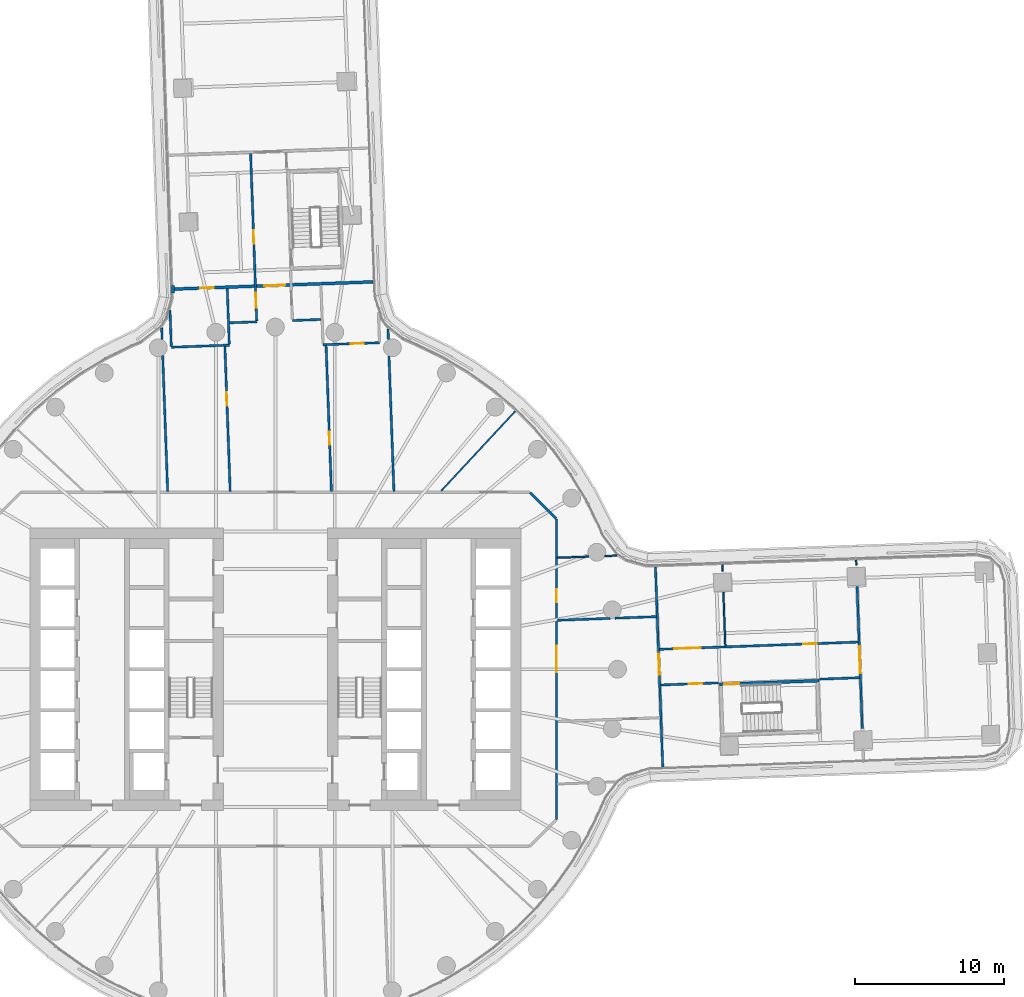
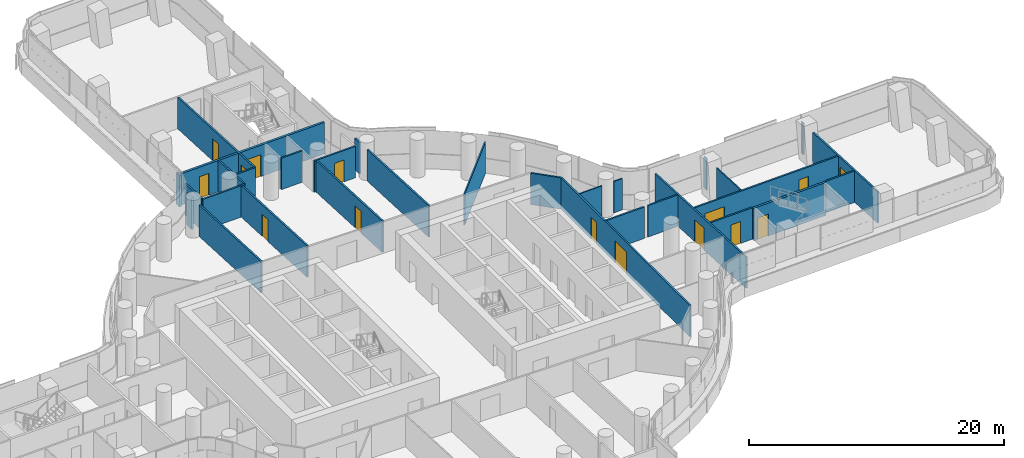
# One storey, part 22 of 31: 31 walls, 15 doors, 15 openings.
"""IFC4 building model written with IfcOpenShell, lengths in metres."""

from ifc_helpers import new_model, si_unit, direction, frame, frame_2d, origin, place, context, subcontext, project, spatial, rectangle, extrude, material, layer, layer_set, type_object, element, fill, save


model = new_model("IFC4")

# Units and contexts
model_context = context("Model", 3, precision=1e-05, world=origin(), true_north=direction((0.0, 1.0)))
body_context = subcontext(model_context, "Body", "Model", "MODEL_VIEW")
ifc_project = project(units=[si_unit("LENGTHUNIT", "METRE"), si_unit("AREAUNIT", "SQUARE_METRE"), si_unit("VOLUMEUNIT", "CUBIC_METRE"), si_unit("PLANEANGLEUNIT", "RADIAN"), si_unit("MASSUNIT", "GRAM", prefix="KILO")], contexts=[model_context])

# Site, building, storey
site_placement = place(None, origin())
site = spatial("IfcSite", under=ifc_project, at=site_placement, CompositionType="ELEMENT")
building_placement = place(site_placement, origin())
building = spatial("IfcBuilding", under=site, at=building_placement, Name="Tamarind Cross Interchange Tower", CompositionType="ELEMENT")
storey_placement = place(building_placement, frame((0.0, 0.0, 41.5)))
storey = spatial("IfcBuildingStorey", under=building, at=storey_placement, Name="L08", CompositionType="ELEMENT", Elevation=41.5)

# Walls
ifc_material_1 = material(Name="Gypsum board partition on steel studs", Category="steel")
ifc_layer_1 = layer(ifc_material_1, 0.10009765625)
ifc_layer_set_1 = layer_set([ifc_layer_1], Name="Gypsum board partition on steel studs")
wall_type_1 = type_object("IfcWallType", Name="Partition 100 mm EI 90", PredefinedType="PARTITIONING", material=ifc_layer_set_1)
wall_1_placement = place(storey_placement, frame((30.049072265625, 7.033447265625, 0.0), z_axis=(0.0, 0.0, 1.0), x_axis=(0.036228293416, -0.999343539908, 0.0)))
element("IfcWall", 1, at=wall_1_placement, inside=storey, type_object=wall_type_1, Name="Partition L08-031", PredefinedType="PARTITIONING", context=body_context, shape_type="SweptSolid", body=[
    extrude(rectangle(XDim=0.43798828125, YDim=0.10009765625, at=frame_2d((0.218994140625, 0.0))), origin(), (0.0, 0.0, 1.0), 3.010009765625),
])
wall_2_placement = place(storey_placement, frame((30.1171875, 5.162841796875, 0.0), z_axis=(0.0, 0.0, 1.0), x_axis=(0.036520471614, -0.999332905069, 0.0)))
element("IfcWall", 2, at=wall_2_placement, inside=storey, type_object=wall_type_1, Name="Partition L08-032", PredefinedType="PARTITIONING", context=body_context, shape_type="SweptSolid", body=[
    extrude(rectangle(XDim=3.603271484375, YDim=0.10009765625, at=frame_2d((1.8017578125, 0.0))), origin(), (0.0, 0.0, 1.0), 3.010009765625),
])
wall_3_placement = place(storey_placement, frame((39.044189453125, 7.342529296875, 0.0), z_axis=(0.0, 0.0, 1.0), x_axis=(0.036208125755, -0.999344270824, 0.0)))
element("IfcWall", 3, at=wall_3_placement, inside=storey, type_object=wall_type_1, Name="Partition L08-033", PredefinedType="PARTITIONING", context=body_context, shape_type="SweptSolid", body=[
    extrude(rectangle(XDim=0.337158203125, YDim=0.10009765625, at=frame_2d((0.16845703125, 0.0))), origin(), (0.0, 0.0, 1.0), 3.010009765625),
])
wall_4_placement = place(storey_placement, frame((18.9599609375, 7.494140625, 0.0), z_axis=(0.0, 0.0, 1.0), x_axis=(0.999331272878, 0.036565106981, 0.0)))
element("IfcWall", 4, at=wall_4_placement, inside=storey, type_object=wall_type_1, Name="Partition L08-066", PredefinedType="PARTITIONING", context=body_context, shape_type="SweptSolid", body=[
    extrude(rectangle(XDim=2.123291015625, YDim=0.10009765625, at=frame_2d((1.0615234375, 0.0))), origin(), (0.0, 0.0, 1.0), 3.010009765625),
])
wall_5_placement = place(storey_placement, frame((22.154296875, 7.61083984375, 0.0), z_axis=(0.0, 0.0, 1.0), x_axis=(0.999338892628, 0.036356260539, 0.0)))
element("IfcWall", 5, at=wall_5_placement, inside=storey, type_object=wall_type_1, Name="Partition L08-067", PredefinedType="PARTITIONING", context=body_context, shape_type="SweptSolid", body=[
    extrude(rectangle(XDim=0.799072265625, YDim=0.10009765625, at=frame_2d((0.3994140625, 0.0))), origin(), (0.0, 0.0, 1.0), 3.010009765625),
])
wall_6_placement = place(storey_placement, frame((11.148681640625, 11.989990234375, 0.0), z_axis=(0.0, 0.0, 1.0), x_axis=(0.680920818634, 0.732357043218, 0.0)))
element("IfcWall", 6, at=wall_6_placement, inside=storey, type_object=wall_type_1, Name="Partition L08-076", PredefinedType="PARTITIONING", context=body_context, shape_type="SweptSolid", body=[
    extrude(rectangle(XDim=7.314208984375, YDim=0.10009765625, at=frame_2d((3.6572265625, 0.0))), origin(), (0.0, 0.0, 1.0), 3.010009765625),
])
ifc_layer_2 = layer(ifc_material_1, 0.14990234375)
ifc_layer_set_2 = layer_set([ifc_layer_2], Name="Gypsum board partition on steel studs")
wall_type_2 = type_object("IfcWallType", Name="Partition 150 mm EI 120", PredefinedType="PARTITIONING", material=ifc_layer_set_2)
wall_7_placement = place(storey_placement, frame((-7.639892578125, 22.952880859375, 0.0), z_axis=(0.0, 0.0, 1.0), x_axis=(0.036356260539, -0.999338892628, 0.0)))
element("IfcWall", 7, at=wall_7_placement, inside=storey, type_object=wall_type_2, Name="Partition L08-008", PredefinedType="PARTITIONING", context=body_context, shape_type="SweptSolid", body=[
    extrude(rectangle(XDim=0.799072265625, YDim=0.14990234375, at=frame_2d((0.3994140625, 0.0))), origin(), (0.0, 0.0, 1.0), 3.010009765625),
])
wall_8_placement = place(storey_placement, frame((-7.57177734375, 21.081787109375, 0.0), z_axis=(0.0, 0.0, 1.0), x_axis=(0.036428979603, -0.999336244437, 0.0)))
element("IfcWall", 8, at=wall_8_placement, inside=storey, type_object=wall_type_2, Name="Partition L08-009", PredefinedType="PARTITIONING", context=body_context, shape_type="SweptSolid", body=[
    extrude(rectangle(XDim=9.1279296875, YDim=0.14990234375, at=frame_2d((4.56396484375, 0.0))), origin(), (0.0, 0.0, 1.0), 3.010009765625),
])
wall_9_placement = place(storey_placement, frame((-7.0830078125, 24.1337890625, 0.0), z_axis=(0.0, 0.0, 1.0), x_axis=(0.036565799568, -0.999331247536, 0.0)))
element("IfcWall", 9, at=wall_9_placement, inside=storey, type_object=wall_type_2, Name="Partition L08-012", PredefinedType="PARTITIONING", context=body_context, shape_type="SweptSolid", body=[
    extrude(rectangle(XDim=2.430419921875, YDim=0.14990234375, at=frame_2d((1.21533203125, 0.0))), origin(), (0.0, 0.0, 1.0), 3.010009765625),
])

# Wall, opening, door
wall_10_placement = place(storey_placement, frame((-3.3916015625, 21.7109375, 0.0), z_axis=(0.0, 0.0, 1.0), x_axis=(0.036430483027, -0.999336189631, 0.0)))
wall_10 = element("IfcWall", 10, at=wall_10_placement, inside=storey, type_object=wall_type_2, Name="Partition L08-014", PredefinedType="PARTITIONING", context=body_context, shape_type="SweptSolid", body=[
    extrude(rectangle(XDim=9.757568359375, YDim=0.14990234375, at=frame_2d((4.87890625, 0.0))), origin(), (0.0, 0.0, 1.0), 3.010009765625),
])
opening_1_placement = place(wall_10_placement, frame((3.0849609375, 0.0, 0.0)))
opening_1 = element("IfcOpeningElement", 11, at=opening_1_placement, cuts=wall_10, Name="Opening D04", PredefinedType="OPENING", context=body_context, shape_type="SweptSolid", body=[
    extrude(rectangle(XDim=0.89990234375, YDim=2.10009765625, at=frame_2d((0.449951171875, 1.050048828125))), frame((0.0, 0.0849609375, 0.0), z_axis=(0.0, -1.0, 0.0), x_axis=(1.0, 0.0, 0.0)), (0.0, 0.0, 1.0), 0.169921875),
])
ifc_material_2 = material(Name="Fire-resisting door set")
door_type_1 = type_object("IfcDoorType", Name="Interior door 900 x 2100 FD60S", OperationType="SINGLE_SWING_LEFT", PredefinedType="DOOR", material=ifc_material_2)
door_1_placement = place(opening_1_placement, frame((0.89990234375, 0.0, 0.0), z_axis=(0.0, 0.0, 1.0), x_axis=(-1.0, 0.0, 0.0)))
door_1 = element("IfcDoor", 12, at=door_1_placement, inside=storey, type_object=door_type_1, Name="Door D04", OperationType="SINGLE_SWING_LEFT", OverallHeight=2.10009765625, OverallWidth=0.89990234375, PredefinedType="DOOR", context=body_context, shape_type="SweptSolid", body=[
    extrude(rectangle(XDim=0.89990234375, YDim=2.10009765625, at=frame_2d((0.449951171875, 1.050048828125))), frame((0.0, 0.02490234375, 0.0), z_axis=(0.0, -1.0, 0.0), x_axis=(1.0, 0.0, 0.0)), (0.0, 0.0, 1.0), 0.050048828125),
])
fill(opening_1, door_1)

# Wall
wall_11_placement = place(storey_placement, frame((-3.232666015625, 25.593994140625, 0.0), z_axis=(0.0, 0.0, 1.0), x_axis=(0.036397550222, -0.999337389643, 0.0)))
element("IfcWall", 13, at=wall_11_placement, inside=storey, type_object=wall_type_2, Name="Partition L08-015", PredefinedType="PARTITIONING", context=body_context, shape_type="SweptSolid", body=[
    extrude(rectangle(XDim=3.74951171875, YDim=0.14990234375, at=frame_2d((1.874755859375, 0.0))), origin(), (0.0, 0.0, 1.0), 3.010009765625),
])

# Wall, openings, doors
wall_12_placement = place(storey_placement, frame((-1.66357421875, 34.68310546875, 0.0), z_axis=(0.0, 0.0, 1.0), x_axis=(0.036439870677, -0.999335847363, 0.0)))
wall_12 = element("IfcWall", 14, at=wall_12_placement, inside=storey, type_object=wall_type_2, Name="Partition L08-016", PredefinedType="PARTITIONING", context=body_context, shape_type="SweptSolid", body=[
    extrude(rectangle(XDim=11.27587890625, YDim=0.14990234375, at=frame_2d((5.637939453125, 0.0))), origin(), (0.0, 0.0, 1.0), 3.010009765625),
])
opening_2_placement = place(wall_12_placement, frame((9.385009765625, 0.0, 0.0)))
opening_2 = element("IfcOpeningElement", 15, at=opening_2_placement, cuts=wall_12, Name="Opening D05", PredefinedType="OPENING", context=body_context, shape_type="SweptSolid", body=[
    extrude(rectangle(XDim=1.0, YDim=2.10009765625, at=frame_2d((0.5, 1.050048828125))), frame((0.0, 0.0849609375, 0.0), z_axis=(0.0, -1.0, 0.0), x_axis=(1.0, 0.0, 0.0)), (0.0, 0.0, 1.0), 0.169921875),
])
opening_3_placement = place(wall_12_placement, frame((5.18505859375, 0.0, 0.0)))
opening_3 = element("IfcOpeningElement", 16, at=opening_3_placement, cuts=wall_12, Name="Opening D06", PredefinedType="OPENING", context=body_context, shape_type="SweptSolid", body=[
    extrude(rectangle(XDim=0.89990234375, YDim=2.10009765625, at=frame_2d((0.449951171875, 1.050048828125))), frame((0.0, 0.0849609375, 0.0), z_axis=(0.0, -1.0, 0.0), x_axis=(1.0, 0.0, 0.0)), (0.0, 0.0, 1.0), 0.169921875),
])
door_type_2 = type_object("IfcDoorType", Name="Interior door 1000 x 2100 FD60S", OperationType="SINGLE_SWING_LEFT", PredefinedType="DOOR", material=ifc_material_2)
door_2_placement = place(opening_2_placement, frame((1.0, 0.0, 0.0), z_axis=(0.0, 0.0, 1.0), x_axis=(-1.0, 0.0, 0.0)))
door_2 = element("IfcDoor", 17, at=door_2_placement, inside=storey, type_object=door_type_2, Name="Door D05", OperationType="SINGLE_SWING_RIGHT", OverallHeight=2.10009765625, OverallWidth=1.0, PredefinedType="DOOR", context=body_context, shape_type="SweptSolid", body=[
    extrude(rectangle(XDim=1.0, YDim=2.10009765625, at=frame_2d((0.5, 1.050048828125))), frame((0.0, 0.02490234375, 0.0), z_axis=(0.0, -1.0, 0.0), x_axis=(1.0, 0.0, 0.0)), (0.0, 0.0, 1.0), 0.050048828125),
])
fill(opening_2, door_2)
door_3_placement = place(opening_3_placement, frame((0.89990234375, 0.0, 0.0), z_axis=(0.0, 0.0, 1.0), x_axis=(-1.0, 0.0, 0.0)))
door_3 = element("IfcDoor", 18, at=door_3_placement, inside=storey, type_object=door_type_1, Name="Door D06", OperationType="SINGLE_SWING_LEFT", OverallHeight=2.10009765625, OverallWidth=0.89990234375, PredefinedType="DOOR", context=body_context, shape_type="SweptSolid", body=[
    extrude(rectangle(XDim=0.89990234375, YDim=2.10009765625, at=frame_2d((0.449951171875, 1.050048828125))), frame((0.0, 0.02490234375, 0.0), z_axis=(0.0, -1.0, 0.0), x_axis=(1.0, 0.0, 0.0)), (0.0, 0.0, 1.0), 0.050048828125),
])
fill(opening_3, door_3)

# Wall, opening, door
wall_13_placement = place(storey_placement, frame((3.411376953125, 21.759033203125, 0.0), z_axis=(0.0, 0.0, 1.0), x_axis=(0.036450833277, -0.999335447562, 0.0)))
wall_13 = element("IfcWall", 19, at=wall_13_placement, inside=storey, type_object=wall_type_2, Name="Partition L08-024", PredefinedType="PARTITIONING", context=body_context, shape_type="SweptSolid", body=[
    extrude(rectangle(XDim=9.8056640625, YDim=0.14990234375, at=frame_2d((4.90283203125, 0.0))), origin(), (0.0, 0.0, 1.0), 3.010009765625),
])
opening_4_placement = place(wall_13_placement, frame((5.784912109375, 0.0, 0.0)))
opening_4 = element("IfcOpeningElement", 20, at=opening_4_placement, cuts=wall_13, Name="Opening D13", PredefinedType="OPENING", context=body_context, shape_type="SweptSolid", body=[
    extrude(rectangle(XDim=0.89990234375, YDim=2.10009765625, at=frame_2d((0.449951171875, 1.050048828125))), frame((0.0, 0.0849609375, 0.0), z_axis=(0.0, -1.0, 0.0), x_axis=(1.0, 0.0, 0.0)), (0.0, 0.0, 1.0), 0.169921875),
])
door_4_placement = place(opening_4_placement, origin())
door_4 = element("IfcDoor", 21, at=door_4_placement, inside=storey, type_object=door_type_1, Name="Door D13", OperationType="SINGLE_SWING_LEFT", OverallHeight=2.10009765625, OverallWidth=0.89990234375, PredefinedType="DOOR", context=body_context, shape_type="SweptSolid", body=[
    extrude(rectangle(XDim=0.89990234375, YDim=2.10009765625, at=frame_2d((0.449951171875, 1.050048828125))), frame((0.0, 0.02490234375, 0.0), z_axis=(0.0, -1.0, 0.0), x_axis=(1.0, 0.0, 0.0)), (0.0, 0.0, 1.0), 0.050048828125),
])
fill(opening_4, door_4)

# Walls
wall_14_placement = place(storey_placement, frame((7.572998046875, 22.8837890625, 0.0), z_axis=(0.0, 0.0, 1.0), x_axis=(0.036654245019, -0.999328007374, 0.0)))
element("IfcWall", 22, at=wall_14_placement, inside=storey, type_object=wall_type_2, Name="Partition L08-028", PredefinedType="PARTITIONING", context=body_context, shape_type="SweptSolid", body=[
    extrude(rectangle(XDim=0.732666015625, YDim=0.14990234375, at=frame_2d((0.3662109375, 0.0))), origin(), (0.0, 0.0, 1.0), 3.010009765625),
])
wall_15_placement = place(storey_placement, frame((7.639404296875, 21.063720703125, 0.0), z_axis=(0.0, 0.0, 1.0), x_axis=(0.036474412647, -0.999334587224, 0.0)))
element("IfcWall", 23, at=wall_15_placement, inside=storey, type_object=wall_type_2, Name="Partition L08-029", PredefinedType="PARTITIONING", context=body_context, shape_type="SweptSolid", body=[
    extrude(rectangle(XDim=9.10986328125, YDim=0.14990234375, at=frame_2d((4.554931640625, 0.0))), origin(), (0.0, 0.0, 1.0), 3.010009765625),
])

# Wall, opening, door
wall_16_placement = place(storey_placement, frame((25.552001953125, 6.87890625, 0.0), z_axis=(0.0, 0.0, 1.0), x_axis=(0.036465581753, -0.999334909501, 0.0)))
wall_16 = element("IfcWall", 24, at=wall_16_placement, inside=storey, type_object=wall_type_2, Name="Partition L08-030", PredefinedType="PARTITIONING", context=body_context, shape_type="SweptSolid", body=[
    extrude(rectangle(XDim=13.44384765625, YDim=0.14990234375, at=frame_2d((6.721923828125, 0.0))), origin(), (0.0, 0.0, 1.0), 3.010009765625),
])
opening_5_placement = place(wall_16_placement, frame((5.844482421875, 0.0, 0.0)))
opening_5 = element("IfcOpeningElement", 25, at=opening_5_placement, cuts=wall_16, Name="Opening D14", PredefinedType="OPENING", context=body_context, shape_type="SweptSolid", body=[
    extrude(rectangle(XDim=1.39990234375, YDim=2.10009765625, at=frame_2d((0.699951171875, 1.050048828125))), frame((0.0, 0.0849609375, 0.0), z_axis=(0.0, -1.0, 0.0), x_axis=(1.0, 0.0, 0.0)), (0.0, 0.0, 1.0), 0.169921875),
])
door_type_3 = type_object("IfcDoorType", Name="Interior door 1400 x 2100 FD60S", OperationType="DOUBLE_DOOR_SINGLE_SWING", PredefinedType="DOOR", material=ifc_material_2)
door_5_placement = place(opening_5_placement, frame((1.39990234375, 0.0, 0.0), z_axis=(0.0, 0.0, 1.0), x_axis=(-1.0, 0.0, 0.0)))
door_5 = element("IfcDoor", 26, at=door_5_placement, inside=storey, type_object=door_type_3, Name="Door D14", OperationType="DOUBLE_DOOR_SINGLE_SWING", OverallHeight=2.10009765625, OverallWidth=1.39990234375, PredefinedType="DOOR", context=body_context, shape_type="SweptSolid", body=[
    extrude(rectangle(XDim=1.39990234375, YDim=2.10009765625, at=frame_2d((0.699951171875, 1.050048828125))), frame((0.0, 0.02490234375, 0.0), z_axis=(0.0, -1.0, 0.0), x_axis=(1.0, 0.0, 0.0)), (0.0, 0.0, 1.0), 0.050048828125),
])
fill(opening_5, door_5)

wall_17_placement = place(storey_placement, frame((39.1083984375, 5.5732421875, 0.0), z_axis=(0.0, 0.0, 1.0), x_axis=(0.036460916569, -0.999335079722, 0.0)))
wall_17 = element("IfcWall", 27, at=wall_17_placement, inside=storey, type_object=wall_type_2, Name="Partition L08-034", PredefinedType="PARTITIONING", context=body_context, shape_type="SweptSolid", body=[
    extrude(rectangle(XDim=9.5751953125, YDim=0.14990234375, at=frame_2d((4.78759765625, 0.0))), origin(), (0.0, 0.0, 1.0), 3.010009765625),
])
opening_6_placement = place(wall_17_placement, frame((4.0458984375, 0.0, 0.0)))
opening_6 = element("IfcOpeningElement", 28, at=opening_6_placement, cuts=wall_17, Name="Opening D15", PredefinedType="OPENING", context=body_context, shape_type="SweptSolid", body=[
    extrude(rectangle(XDim=1.800048828125, YDim=2.10009765625, at=frame_2d((0.89990234375, 1.050048828125))), frame((0.0, 0.0849609375, 0.0), z_axis=(0.0, -1.0, 0.0), x_axis=(1.0, 0.0, 0.0)), (0.0, 0.0, 1.0), 0.169921875),
])
door_type_4 = type_object("IfcDoorType", Name="Interior door 1800 x 2100 FD60S", OperationType="DOUBLE_DOOR_SINGLE_SWING", PredefinedType="DOOR", material=ifc_material_2)
door_6_placement = place(opening_6_placement, origin())
door_6 = element("IfcDoor", 29, at=door_6_placement, inside=storey, type_object=door_type_4, Name="Door D15", OperationType="DOUBLE_DOOR_SINGLE_SWING", OverallHeight=2.10009765625, OverallWidth=1.800048828125, PredefinedType="DOOR", context=body_context, shape_type="SweptSolid", body=[
    extrude(rectangle(XDim=1.800048828125, YDim=2.10009765625, at=frame_2d((0.89990234375, 1.050048828125))), frame((0.0, 0.02490234375, 0.0), z_axis=(0.0, -1.0, 0.0), x_axis=(1.0, 0.0, 0.0)), (0.0, 0.0, 1.0), 0.050048828125),
])
fill(opening_6, door_6)

# Walls
wall_18_placement = place(storey_placement, frame((17.12841796875, 11.87158203125, 0.0), z_axis=(0.0, 0.0, 1.0), x_axis=(0.707106781187, -0.707106781187, 0.0)))
element("IfcWall", 30, at=wall_18_placement, inside=storey, type_object=wall_type_2, Name="Partition L08-037", PredefinedType="PARTITIONING", context=body_context, shape_type="SweptSolid", body=[
    extrude(rectangle(XDim=2.465087890625, YDim=0.14990234375, at=frame_2d((1.232421875, 0.0))), origin(), (0.0, 0.0, 1.0), 3.010009765625),
])
wall_19_placement = place(storey_placement, frame((-6.991943359375, 21.64501953125, 0.0), z_axis=(0.0, 0.0, 1.0), x_axis=(0.999338547054, 0.036365758226, 0.0)))
element("IfcWall", 31, at=wall_19_placement, inside=storey, type_object=wall_type_2, Name="Partition L08-053", PredefinedType="PARTITIONING", context=body_context, shape_type="SweptSolid", body=[
    extrude(rectangle(XDim=3.900634765625, YDim=0.14990234375, at=frame_2d((1.9501953125, 0.0))), origin(), (0.0, 0.0, 1.0), 3.010009765625),
])
wall_20_placement = place(storey_placement, frame((-3.083984375, 23.288330078125, 0.0), z_axis=(0.0, 0.0, 1.0), x_axis=(0.999340288263, 0.036317877888, 0.0)))
element("IfcWall", 32, at=wall_20_placement, inside=storey, type_object=wall_type_2, Name="Partition L08-058", PredefinedType="PARTITIONING", context=body_context, shape_type="SweptSolid", body=[
    extrude(rectangle(XDim=1.835205078125, YDim=0.14990234375, at=frame_2d((0.91748046875, 0.0))), origin(), (0.0, 0.0, 1.0), 3.010009765625),
])
wall_21_placement = place(storey_placement, frame((1.14794921875, 23.442138671875, 0.0), z_axis=(0.0, 0.0, 1.0), x_axis=(0.999339831077, 0.036330455863, 0.0)))
element("IfcWall", 33, at=wall_21_placement, inside=storey, type_object=wall_type_2, Name="Partition L08-059", PredefinedType="PARTITIONING", context=body_context, shape_type="SweptSolid", body=[
    extrude(rectangle(XDim=1.935302734375, YDim=0.14990234375, at=frame_2d((0.9677734375, 0.0))), origin(), (0.0, 0.0, 1.0), 3.010009765625),
])

# Wall, opening, door
wall_22_placement = place(storey_placement, frame((3.208984375, 21.81689453125, 0.0), z_axis=(0.0, 0.0, 1.0), x_axis=(0.99938661248, 0.035019977098, 0.0)))
wall_22 = element("IfcWall", 34, at=wall_22_placement, inside=storey, type_object=wall_type_2, Name="Partition L08-062", PredefinedType="PARTITIONING", context=body_context, shape_type="SweptSolid", body=[
    extrude(rectangle(XDim=3.799560546875, YDim=0.14990234375, at=frame_2d((1.89990234375, 0.0))), origin(), (0.0, 0.0, 1.0), 3.010009765625),
])
opening_7_placement = place(wall_22_placement, frame((1.85009765625, 0.0, 0.0)))
opening_7 = element("IfcOpeningElement", 35, at=opening_7_placement, cuts=wall_22, Name="Opening D32", PredefinedType="OPENING", context=body_context, shape_type="SweptSolid", body=[
    extrude(rectangle(XDim=0.89990234375, YDim=2.10009765625, at=frame_2d((0.449951171875, 1.050048828125))), frame((0.0, 0.0849609375, 0.0), z_axis=(0.0, -1.0, 0.0), x_axis=(1.0, 0.0, 0.0)), (0.0, 0.0, 1.0), 0.169921875),
])
door_7_placement = place(opening_7_placement, origin())
door_7 = element("IfcDoor", 36, at=door_7_placement, inside=storey, type_object=door_type_1, Name="Door D32", OperationType="SINGLE_SWING_LEFT", OverallHeight=2.10009765625, OverallWidth=0.89990234375, PredefinedType="DOOR", context=body_context, shape_type="SweptSolid", body=[
    extrude(rectangle(XDim=0.89990234375, YDim=2.10009765625, at=frame_2d((0.449951171875, 1.050048828125))), frame((0.0, 0.02490234375, 0.0), z_axis=(0.0, -1.0, 0.0), x_axis=(1.0, 0.0, 0.0)), (0.0, 0.0, 1.0), 0.050048828125),
])
fill(opening_7, door_7)

# Walls
wall_23_placement = place(storey_placement, frame((18.9599609375, 3.291259765625, 0.0), z_axis=(0.0, 0.0, 1.0), x_axis=(0.999337592386, 0.036391983232, 0.0)))
element("IfcWall", 37, at=wall_23_placement, inside=storey, type_object=wall_type_2, Name="Partition L08-064", PredefinedType="PARTITIONING", context=body_context, shape_type="SweptSolid", body=[
    extrude(rectangle(XDim=3.5556640625, YDim=0.14990234375, at=frame_2d((1.77783203125, 0.0))), origin(), (0.0, 0.0, 1.0), 3.010009765625),
])
wall_24_placement = place(storey_placement, frame((22.831298828125, 3.432373046875, 0.0), z_axis=(0.0, 0.0, 1.0), x_axis=(0.999335373661, 0.036452859284, 0.0)))
element("IfcWall", 38, at=wall_24_placement, inside=storey, type_object=wall_type_2, Name="Partition L08-065", PredefinedType="PARTITIONING", context=body_context, shape_type="SweptSolid", body=[
    extrude(rectangle(XDim=2.779541015625, YDim=0.14990234375, at=frame_2d((1.3896484375, 0.0))), origin(), (0.0, 0.0, 1.0), 3.010009765625),
])

# Wall, openings, doors
wall_25_placement = place(storey_placement, frame((25.819091796875, 1.34033203125, 0.0), z_axis=(0.0, 0.0, 1.0), x_axis=(0.99933553725, 0.036448374307, 0.0)))
wall_25 = element("IfcWall", 39, at=wall_25_placement, inside=storey, type_object=wall_type_2, Name="Partition L08-070", PredefinedType="PARTITIONING", context=body_context, shape_type="SweptSolid", body=[
    extrude(rectangle(XDim=13.36962890625, YDim=0.14990234375, at=frame_2d((6.684814453125, 0.0))), origin(), (0.0, 0.0, 1.0), 3.010009765625),
])
opening_8_placement = place(wall_25_placement, frame((9.68505859375, 0.0, 0.0)))
opening_8 = element("IfcOpeningElement", 40, at=opening_8_placement, cuts=wall_25, Name="Opening D34", PredefinedType="OPENING", context=body_context, shape_type="SweptSolid", body=[
    extrude(rectangle(XDim=0.89990234375, YDim=2.10009765625, at=frame_2d((0.449951171875, 1.050048828125))), frame((0.0, 0.0849609375, 0.0), z_axis=(0.0, -1.0, 0.0), x_axis=(1.0, 0.0, 0.0)), (0.0, 0.0, 1.0), 0.169921875),
])
opening_9_placement = place(wall_25_placement, frame((0.985107421875, 0.0, 0.0)))
opening_9 = element("IfcOpeningElement", 41, at=opening_9_placement, cuts=wall_25, Name="Opening D35", PredefinedType="OPENING", context=body_context, shape_type="SweptSolid", body=[
    extrude(rectangle(XDim=1.800048828125, YDim=2.10009765625, at=frame_2d((0.89990234375, 1.050048828125))), frame((0.0, 0.0849609375, 0.0), z_axis=(0.0, -1.0, 0.0), x_axis=(1.0, 0.0, 0.0)), (0.0, 0.0, 1.0), 0.169921875),
])
door_8_placement = place(opening_9_placement, origin())
door_8 = element("IfcDoor", 42, at=door_8_placement, inside=storey, type_object=door_type_4, Name="Door D35", OperationType="DOUBLE_DOOR_SINGLE_SWING", OverallHeight=2.10009765625, OverallWidth=1.800048828125, PredefinedType="DOOR", context=body_context, shape_type="SweptSolid", body=[
    extrude(rectangle(XDim=1.800048828125, YDim=2.10009765625, at=frame_2d((0.89990234375, 1.050048828125))), frame((0.0, 0.02490234375, 0.0), z_axis=(0.0, -1.0, 0.0), x_axis=(1.0, 0.0, 0.0)), (0.0, 0.0, 1.0), 0.050048828125),
])
fill(opening_9, door_8)
door_9_placement = place(opening_8_placement, origin())
door_9 = element("IfcDoor", 43, at=door_9_placement, inside=storey, type_object=door_type_1, Name="Door D34", OperationType="SINGLE_SWING_LEFT", OverallHeight=2.10009765625, OverallWidth=0.89990234375, PredefinedType="DOOR", context=body_context, shape_type="SweptSolid", body=[
    extrude(rectangle(XDim=0.89990234375, YDim=2.10009765625, at=frame_2d((0.449951171875, 1.050048828125))), frame((0.0, 0.02490234375, 0.0), z_axis=(0.0, -1.0, 0.0), x_axis=(1.0, 0.0, 0.0)), (0.0, 0.0, 1.0), 0.050048828125),
])
fill(opening_8, door_9)

# Wall, opening, door
wall_26_placement = place(storey_placement, frame((25.906005859375, -1.05859375, 0.0), z_axis=(0.0, 0.0, 1.0), x_axis=(0.999330113621, 0.036596775968, 0.0)))
wall_26 = element("IfcWall", 44, at=wall_26_placement, inside=storey, type_object=wall_type_2, Name="Partition L08-071", PredefinedType="PARTITIONING", context=body_context, shape_type="SweptSolid", body=[
    extrude(rectangle(XDim=3.89599609375, YDim=0.14990234375, at=frame_2d((1.947998046875, 0.0))), origin(), (0.0, 0.0, 1.0), 3.010009765625),
])
opening_10_placement = place(wall_26_placement, frame((1.885009765625, 0.0, 0.0)))
opening_10 = element("IfcOpeningElement", 45, at=opening_10_placement, cuts=wall_26, Name="Opening D36", PredefinedType="OPENING", context=body_context, shape_type="SweptSolid", body=[
    extrude(rectangle(XDim=0.89990234375, YDim=2.10009765625, at=frame_2d((0.449951171875, 1.050048828125))), frame((0.0, 0.0849609375, 0.0), z_axis=(0.0, -1.0, 0.0), x_axis=(1.0, 0.0, 0.0)), (0.0, 0.0, 1.0), 0.169921875),
])
door_10_placement = place(opening_10_placement, frame((0.89990234375, 0.0, 0.0), z_axis=(0.0, 0.0, 1.0), x_axis=(-1.0, 0.0, 0.0)))
door_10 = element("IfcDoor", 46, at=door_10_placement, inside=storey, type_object=door_type_1, Name="Door D36", OperationType="SINGLE_SWING_RIGHT", OverallHeight=2.10009765625, OverallWidth=0.89990234375, PredefinedType="DOOR", context=body_context, shape_type="SweptSolid", body=[
    extrude(rectangle(XDim=0.89990234375, YDim=2.10009765625, at=frame_2d((0.449951171875, 1.050048828125))), frame((0.0, 0.02490234375, 0.0), z_axis=(0.0, -1.0, 0.0), x_axis=(1.0, 0.0, 0.0)), (0.0, 0.0, 1.0), 0.050048828125),
])
fill(opening_10, door_10)

# Wall
wall_27_placement = place(storey_placement, frame((36.57421875, -0.667724609375, 0.0), z_axis=(0.0, 0.0, 1.0), x_axis=(0.999329891692, 0.036602835562, 0.0)))
element("IfcWall", 47, at=wall_27_placement, inside=storey, type_object=wall_type_2, Name="Partition L08-072", PredefinedType="PARTITIONING", context=body_context, shape_type="SweptSolid", body=[
    extrude(rectangle(XDim=2.694580078125, YDim=0.14990234375, at=frame_2d((1.34716796875, 0.0))), origin(), (0.0, 0.0, 1.0), 3.010009765625),
])

# Wall, openings, doors
wall_28_placement = place(storey_placement, frame((18.89990234375, -10.10009765625, 0.0), z_axis=(0.0, 0.0, 1.0), x_axis=(0.0, 1.0, 0.0)))
wall_28 = element("IfcWall", 48, at=wall_28_placement, inside=storey, type_object=wall_type_2, Name="Partition L08-078", PredefinedType="PARTITIONING", context=body_context, shape_type="SweptSolid", body=[
    extrude(rectangle(XDim=20.2001953125, YDim=0.14990234375, at=frame_2d((10.10009765625, 0.0))), origin(), (0.0, 0.0, 1.0), 3.010009765625),
])
opening_11_placement = place(wall_28_placement, frame((9.885009765625, 0.0, 0.0)))
opening_11 = element("IfcOpeningElement", 49, at=opening_11_placement, cuts=wall_28, Name="Opening D39", PredefinedType="OPENING", context=body_context, shape_type="SweptSolid", body=[
    extrude(rectangle(XDim=1.800048828125, YDim=2.10009765625, at=frame_2d((0.89990234375, 1.050048828125))), frame((0.0, 0.0849609375, 0.0), z_axis=(0.0, -1.0, 0.0), x_axis=(1.0, 0.0, 0.0)), (0.0, 0.0, 1.0), 0.169921875),
])
opening_12_placement = place(wall_28_placement, frame((14.589111328125, 0.0, 0.0)))
opening_12 = element("IfcOpeningElement", 50, at=opening_12_placement, cuts=wall_28, Name="Opening D40", PredefinedType="OPENING", context=body_context, shape_type="SweptSolid", body=[
    extrude(rectangle(XDim=0.89990234375, YDim=2.10009765625, at=frame_2d((0.449951171875, 1.050048828125))), frame((0.0, 0.0849609375, 0.0), z_axis=(0.0, -1.0, 0.0), x_axis=(1.0, 0.0, 0.0)), (0.0, 0.0, 1.0), 0.169921875),
])
door_11_placement = place(opening_11_placement, origin())
door_11 = element("IfcDoor", 51, at=door_11_placement, inside=storey, type_object=door_type_4, Name="Door D39", OperationType="DOUBLE_DOOR_SINGLE_SWING", OverallHeight=2.10009765625, OverallWidth=1.800048828125, PredefinedType="DOOR", context=body_context, shape_type="SweptSolid", body=[
    extrude(rectangle(XDim=1.800048828125, YDim=2.10009765625, at=frame_2d((0.89990234375, 1.050048828125))), frame((0.0, 0.02490234375, 0.0), z_axis=(0.0, -1.0, 0.0), x_axis=(1.0, 0.0, 0.0)), (0.0, 0.0, 1.0), 0.050048828125),
])
fill(opening_11, door_11)
door_12_placement = place(opening_12_placement, frame((0.89990234375, 0.0, 0.0), z_axis=(0.0, 0.0, 1.0), x_axis=(-1.0, 0.0, 0.0)))
door_12 = element("IfcDoor", 52, at=door_12_placement, inside=storey, type_object=door_type_1, Name="Door D40", OperationType="SINGLE_SWING_RIGHT", OverallHeight=2.10009765625, OverallWidth=0.89990234375, PredefinedType="DOOR", context=body_context, shape_type="SweptSolid", body=[
    extrude(rectangle(XDim=0.89990234375, YDim=2.10009765625, at=frame_2d((0.449951171875, 1.050048828125))), frame((0.0, 0.02490234375, 0.0), z_axis=(0.0, -1.0, 0.0), x_axis=(1.0, 0.0, 0.0)), (0.0, 0.0, 1.0), 0.050048828125),
])
fill(opening_12, door_12)

ifc_layer_3 = layer(ifc_material_1, 0.199951171875)
ifc_layer_set_3 = layer_set([ifc_layer_3], Name="Gypsum board partition on steel studs")
wall_type_3 = type_object("IfcWallType", Name="Partition 200 mm EI 180", PredefinedType="PARTITIONING", material=ifc_layer_set_3)
wall_29_placement = place(storey_placement, frame((-6.7890625, 25.555419921875, 0.0), z_axis=(0.0, 0.0, 1.0), x_axis=(0.999344606341, 0.036198864303, 0.0)))
wall_29 = element("IfcWall", 53, at=wall_29_placement, inside=storey, type_object=wall_type_3, Name="Partition L08-054", PredefinedType="PARTITIONING", context=body_context, shape_type="SweptSolid", body=[
    extrude(rectangle(XDim=13.35400390625, YDim=0.199951171875, at=frame_2d((6.677001953125, 0.0))), origin(), (0.0, 0.0, 1.0), 3.010009765625),
])
opening_13_placement = place(wall_29_placement, frame((6.0546875, 0.0, 0.0)))
opening_13 = element("IfcOpeningElement", 54, at=opening_13_placement, cuts=wall_29, Name="Opening D28", PredefinedType="OPENING", context=body_context, shape_type="SweptSolid", body=[
    extrude(rectangle(XDim=1.39990234375, YDim=2.10009765625, at=frame_2d((0.699951171875, 1.050048828125))), frame((0.0, 0.10986328125, 0.0), z_axis=(0.0, -1.0, 0.0), x_axis=(1.0, 0.0, 0.0)), (0.0, 0.0, 1.0), 0.219970703125),
])
opening_14_placement = place(wall_29_placement, frame((1.739013671875, 0.0, 0.0)))
opening_14 = element("IfcOpeningElement", 55, at=opening_14_placement, cuts=wall_29, Name="Opening D29", PredefinedType="OPENING", context=body_context, shape_type="SweptSolid", body=[
    extrude(rectangle(XDim=0.89990234375, YDim=2.10009765625, at=frame_2d((0.449951171875, 1.050048828125))), frame((0.0, 0.10986328125, 0.0), z_axis=(0.0, -1.0, 0.0), x_axis=(1.0, 0.0, 0.0)), (0.0, 0.0, 1.0), 0.219970703125),
])
door_type_5 = type_object("IfcDoorType", Name="Interior door 1400 x 2100 FD120S", OperationType="DOUBLE_DOOR_SINGLE_SWING", PredefinedType="DOOR", material=ifc_material_2)
door_13_placement = place(opening_13_placement, frame((1.39990234375, 0.0, 0.0), z_axis=(0.0, 0.0, 1.0), x_axis=(-1.0, 0.0, 0.0)))
door_13 = element("IfcDoor", 56, at=door_13_placement, inside=storey, type_object=door_type_5, Name="Door D28", OperationType="DOUBLE_DOOR_SINGLE_SWING", OverallHeight=2.10009765625, OverallWidth=1.39990234375, PredefinedType="DOOR", context=body_context, shape_type="SweptSolid", body=[
    extrude(rectangle(XDim=1.39990234375, YDim=2.10009765625, at=frame_2d((0.699951171875, 1.050048828125))), frame((0.0, 0.02490234375, 0.0), z_axis=(0.0, -1.0, 0.0), x_axis=(1.0, 0.0, 0.0)), (0.0, 0.0, 1.0), 0.050048828125),
])
fill(opening_13, door_13)
door_type_6 = type_object("IfcDoorType", Name="Interior door 900 x 2100 FD120S", OperationType="SINGLE_SWING_LEFT", PredefinedType="DOOR", material=ifc_material_2)
door_14_placement = place(opening_14_placement, frame((0.89990234375, 0.0, 0.0), z_axis=(0.0, 0.0, 1.0), x_axis=(-1.0, 0.0, 0.0)))
door_14 = element("IfcDoor", 57, at=door_14_placement, inside=storey, type_object=door_type_6, Name="Door D29", OperationType="SINGLE_SWING_LEFT", OverallHeight=2.10009765625, OverallWidth=0.89990234375, PredefinedType="DOOR", context=body_context, shape_type="SweptSolid", body=[
    extrude(rectangle(XDim=0.89990234375, YDim=2.10009765625, at=frame_2d((0.449951171875, 1.050048828125))), frame((0.0, 0.02490234375, 0.0), z_axis=(0.0, -1.0, 0.0), x_axis=(1.0, 0.0, 0.0)), (0.0, 0.0, 1.0), 0.050048828125),
])
fill(opening_14, door_14)

# Wall
wall_30_placement = place(storey_placement, frame((-6.887451171875, 25.802001953125, 0.0), z_axis=(0.0, 0.0, 1.0), x_axis=(0.03417640797, -0.999415815934, 0.0)))
element("IfcWall", 58, at=wall_30_placement, inside=storey, type_object=wall_type_3, Name="Partition L08-079", PredefinedType="PARTITIONING", context=body_context, shape_type="SweptSolid", body=[
    extrude(rectangle(XDim=0.5, YDim=0.199951171875, at=frame_2d((0.25, 0.0))), origin(), (0.0, 0.0, 1.0), 3.010009765625),
])

# Wall, opening, door
ifc_material_3 = material(Name="Concrete C40", Category="concrete")
ifc_layer_4 = layer(ifc_material_3, 0.199951171875)
ifc_layer_set_4 = layer_set([ifc_layer_4], Name="Concrete C40")
wall_type_4 = type_object("IfcWallType", Name="Stair shaft wall 200 mm Concrete C40", PredefinedType="SHEAR", material=ifc_layer_set_4)
wall_31_placement = place(storey_placement, frame((29.84228515625, -1.0146484375, -0.139892578125), z_axis=(0.0, 0.0, 1.0), x_axis=(0.999335884019, 0.036438865415, 0.0)))
wall_31 = element("IfcWall", 59, at=wall_31_placement, inside=storey, type_object=wall_type_4, Name="Core wall CWL-L08-ST3-H", PredefinedType="SHEAR", context=body_context, shape_type="SweptSolid", body=[
    extrude(rectangle(XDim=6.699951171875, YDim=0.199951171875, at=frame_2d((3.35009765625, 0.0))), origin(), (0.0, 0.0, 1.0), 3.14990234375),
])
opening_15_placement = place(wall_31_placement, frame((0.35009765625, 0.0, 0.0)))
opening_15 = element("IfcOpeningElement", 60, at=opening_15_placement, cuts=wall_31, Name="Opening ST3L08", PredefinedType="OPENING", context=body_context, shape_type="SweptSolid", body=[
    extrude(rectangle(XDim=1.0, YDim=2.10009765625, at=frame_2d((0.5, 1.050048828125))), frame((0.0, 0.10986328125, 0.0), z_axis=(0.0, -1.0, 0.0), x_axis=(1.0, 0.0, 0.0)), (0.0, 0.0, 1.0), 0.219970703125),
])
ifc_material_4 = material(Name="Steel, fire-resisting", Category="steel")
door_type_7 = type_object("IfcDoorType", Name="Core fire door 1000 x 2100 FD90", OperationType="SINGLE_SWING_LEFT", PredefinedType="DOOR", material=ifc_material_4)
door_15_placement = place(opening_15_placement, origin())
door_15 = element("IfcDoor", 61, at=door_15_placement, inside=storey, type_object=door_type_7, Name="L08 stair door ST3", OperationType="SINGLE_SWING_LEFT", OverallHeight=2.10009765625, OverallWidth=1.0, PredefinedType="DOOR", context=body_context, shape_type="SweptSolid", body=[
    extrude(rectangle(XDim=1.0, YDim=2.10009765625, at=frame_2d((0.5, 1.050048828125))), frame((0.0, 0.02490234375, 0.0), z_axis=(0.0, -1.0, 0.0), x_axis=(1.0, 0.0, 0.0)), (0.0, 0.0, 1.0), 0.050048828125),
])
fill(opening_15, door_15)

save(model, "model.ifc")
